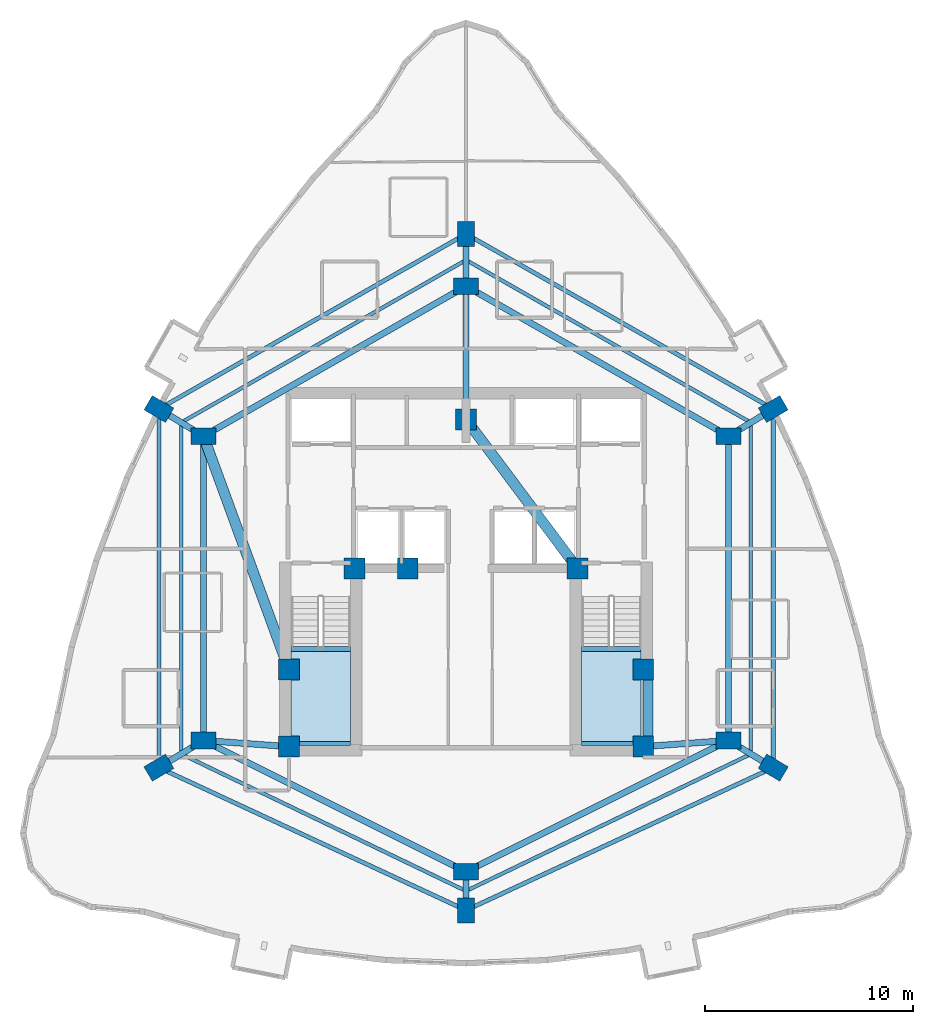
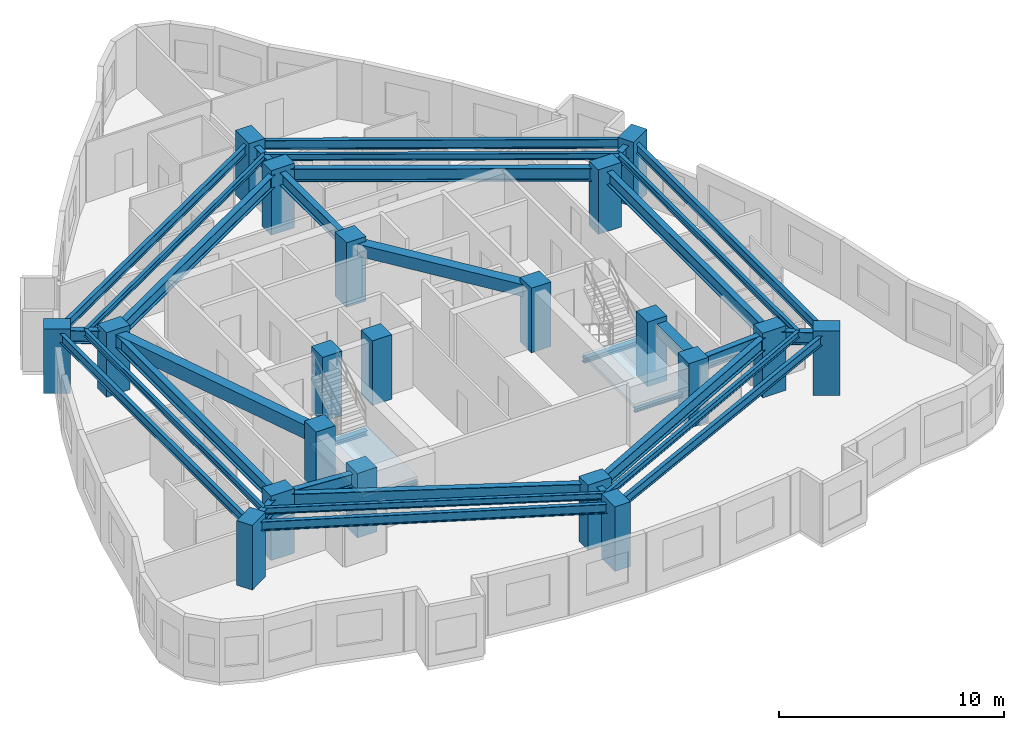
# One storey, part 1 of 10: 34 beams, 20 columns, 2 slabs, 2 elements without a shape of their own.
"""IFC4 building model written with IfcOpenShell, lengths in metres."""

from ifc_helpers import new_model, si_unit, direction, frame, origin, origin_2d, place, context, subcontext, project, spatial, polyline, rectangle, i_section, outline, extrude, material, layer, layer_set, material_profile, profile_set, type_object, element, aggregate, save


model = new_model("IFC4")

# Units and contexts
model_context = context("Model", 3, precision=1e-05, world=origin(), true_north=direction((0.0, 1.0)))
body_context = subcontext(model_context, "Body", "Model", "MODEL_VIEW")
ifc_project = project(units=[si_unit("LENGTHUNIT", "METRE"), si_unit("AREAUNIT", "SQUARE_METRE"), si_unit("VOLUMEUNIT", "CUBIC_METRE"), si_unit("PLANEANGLEUNIT", "RADIAN"), si_unit("MASSUNIT", "GRAM", prefix="KILO")], contexts=[model_context])

# Site, building, storey
site_placement = place(None, origin())
site = spatial("IfcSite", under=ifc_project, at=site_placement, CompositionType="ELEMENT")
building_placement = place(site_placement, origin())
building = spatial("IfcBuilding", under=site, at=building_placement, Name="Miruveldt Soraemaru", CompositionType="ELEMENT")
storey_placement = place(building_placement, frame((0.0, 0.0, 163.39990234375)))
storey = spatial("IfcBuildingStorey", under=building, at=storey_placement, Name="L45", CompositionType="ELEMENT", Elevation=163.39990234375)

# Columns
ifc_material_1 = material(Name="Concrete C60/75 (60 MPa)", Category="concrete")
ifc_material_profile_1 = material_profile(ifc_material_1, rectangle(XDim=1.0, YDim=1.0, at=origin_2d()), Name="Concrete C60/75 (60 MPa)", Category="concrete")
ifc_profile_set_1 = profile_set([ifc_material_profile_1], Name="Concrete C60/75 (60 MPa)")
column_type_1 = type_object("IfcColumnType", Name="COL-CORE-1000", PredefinedType="COLUMN", material=ifc_profile_set_1)
for number, where, z_axis, x_axis, name in (
    (1, (35.5, 35.5, 0.0), (0.0, 0.0, 1.0), (1.0, 0.0, 0.0), "L45 Structural Column CC1"),
    (2, (38.64990234375, 44.050048828125, 0.0), (0.0, 0.0, 1.0), (1.0, 0.0, 0.0), "L45 Structural Column CC2"),
    (3, (52.5, 35.5, 0.0), (0.0, 0.0, 1.0), (1.0, 0.0, 0.0), "L45 Structural Column CC3"),
    (4, (52.5, 39.199951171875, 0.0), (0.0, 0.0, 1.0), (1.0, 0.0, 0.0), "L45 Structural Column CC4"),
    (5, (49.35009765625, 44.050048828125, 0.0), (0.0, 0.0, 1.0), (1.0, 0.0, 0.0), "L45 Structural Column CC5"),
    (6, (44.0, 51.199951171875, 0.0), (0.0, 0.0, 1.0), (1.0, 0.0, 0.0), "L45 Structural Column CC6"),
    (7, (35.5, 39.199951171875, 0.0), (0.0, 0.0, 1.0), (1.0, 0.0, 0.0), "L45 Structural Column CC7"),
    (8, (41.199951171875, 44.050048828125, 0.0), (0.0, 0.0, 1.0), (1.0, 0.0, 0.0), "L45 Structural Column CC8"),
):
    element("IfcColumn", number, at=place(storey_placement, frame(where, z_axis=z_axis, x_axis=x_axis)), inside=storey, type_object=column_type_1, Name=name, PredefinedType="COLUMN", context=body_context, shape_type="SweptSolid", body=[
        extrude(rectangle(XDim=1.0, YDim=1.0, at=origin_2d()), origin(), (0.0, 0.0, 1.0), 3.5),
    ])
ifc_material_2 = material(Name="Concrete C70/85 (70 MPa)", Category="concrete")
ifc_material_profile_2 = material_profile(ifc_material_2, rectangle(XDim=1.199951171875, YDim=0.800048828125, at=origin_2d()), Name="Concrete C70/85 (70 MPa)", Category="concrete")
ifc_profile_set_2 = profile_set([ifc_material_profile_2], Name="Concrete C70/85 (70 MPa)")
column_type_2 = type_object("IfcColumnType", Name="COL-TW-Z2", PredefinedType="COLUMN", material=ifc_profile_set_2)
for number, where, z_axis, x_axis, name in (
    (9, (44.0, 57.60009765625, 0.0), (0.0, 0.0, 1.0), (1.0, 0.0, 0.0), "L45 Structural Column IR01"),
    (10, (56.60009765625, 50.39990234375, 0.0), (0.0, 0.0, 1.0), (1.0, 0.0, 0.0), "L45 Structural Column IR02"),
    (11, (56.60009765625, 35.800048828125, 0.0), (0.0, 0.0, 1.0), (1.0, 0.0, 0.0), "L45 Structural Column IR03"),
    (12, (44.0, 29.5, 0.0), (0.0, 0.0, 1.0), (1.0, 0.0, 0.0), "L45 Structural Column IR04"),
    (13, (31.39990234375, 35.800048828125, 0.0), (0.0, 0.0, 1.0), (1.0, 0.0, 0.0), "L45 Structural Column IR05"),
    (14, (31.39990234375, 50.39990234375, 0.0), (0.0, 0.0, 1.0), (1.0, 0.0, 0.0), "L45 Structural Column IR06"),
    (15, (44.0, 60.10595703125, 0.0), (0.0, 0.0, 1.0), (0.0, 1.0, 0.0), "L45 Structural Column Z2P01"),
    (16, (58.739990234375, 51.705078125, 0.0), (0.0, 0.0, 1.0), (0.866025403784, 0.5, 0.0), "L45 Structural Column Z2P02"),
    (17, (58.739990234375, 34.4951171875, 0.0), (0.0, 0.0, 1.0), (-0.860742027004, 0.50904141575, 0.0), "L45 Structural Column Z2P03"),
    (18, (44.0, 27.64697265625, 0.0), (0.0, 0.0, 1.0), (0.0, 1.0, 0.0), "L45 Structural Column Z2P04"),
    (19, (29.260009765625, 34.4951171875, 0.0), (0.0, 0.0, 1.0), (0.860742027004, 0.50904141575, 0.0), "L45 Structural Column Z2P05"),
    (20, (29.260009765625, 51.705078125, 0.0), (0.0, 0.0, 1.0), (-0.866025403784, 0.5, 0.0), "L45 Structural Column Z2P06"),
):
    element("IfcColumn", number, at=place(storey_placement, frame(where, z_axis=z_axis, x_axis=x_axis)), inside=storey, type_object=column_type_2, Name=name, PredefinedType="COLUMN", context=body_context, shape_type="SweptSolid", body=[
        extrude(rectangle(XDim=1.199951171875, YDim=0.800048828125, at=origin_2d()), origin(), (0.0, 0.0, 1.0), 3.5),
    ])

# Beams
ifc_material_3 = material(Name="Concrete C50/60 (50 MPa)", Category="concrete")
ifc_material_profile_3 = material_profile(ifc_material_3, rectangle(XDim=0.5, YDim=0.64990234375, at=origin_2d()), Name="Concrete C50/60 (50 MPa)", Category="concrete")
ifc_profile_set_3 = profile_set([ifc_material_profile_3], Name="Concrete C50/60 (50 MPa)")
beam_type_1 = type_object("IfcBeamType", Name="BM-RC-500x650", PredefinedType="BEAM", material=ifc_profile_set_3)
beam_1_placement = place(storey_placement, frame((52.72998046875, 35.5, 2.91015625), z_axis=(0.0, 1.0, 0.0), x_axis=(-1.0, 0.0, 0.0)))
element("IfcBeam", 21, at=beam_1_placement, inside=storey, type_object=beam_type_1, Name="L45 Core Tie Beam 3", PredefinedType="BEAM", context=body_context, shape_type="SweptSolid", body=[
    extrude(rectangle(XDim=0.5, YDim=0.64990234375, at=origin_2d()), origin(), (0.0, 0.0, 1.0), 3.699951171875),
])
beam_2_placement = place(storey_placement, frame((49.35009765625, 44.050048828125, 2.91015625), z_axis=(-0.599116023999, 0.800662219533, 0.0), x_axis=(-0.800662219533, -0.599116023999, 0.0)))
element("IfcBeam", 22, at=beam_2_placement, inside=storey, type_object=beam_type_1, Name="L45 Core Tie Beam 5", PredefinedType="BEAM", context=body_context, shape_type="SweptSolid", body=[
    extrude(rectangle(XDim=0.5, YDim=0.64990234375, at=origin_2d()), origin(), (0.0, 0.0, 1.0), 8.929931640625),
])
ifc_material_4 = material(Name="Concrete C40/50 (40 MPa)", Category="concrete")
ifc_material_profile_4 = material_profile(ifc_material_4, rectangle(XDim=0.5, YDim=0.75, at=origin_2d()), Name="Concrete C40/50 (40 MPa)", Category="concrete")
ifc_profile_set_4 = profile_set([ifc_material_profile_4], Name="Concrete C40/50 (40 MPa)")
beam_type_2 = type_object("IfcBeamType", Name="BM-RC-500x750", PredefinedType="LINTEL", material=ifc_profile_set_4)
beam_3_placement = place(storey_placement, frame((31.39990234375, 50.39990234375, 2.860107421875), z_axis=(0.343770424598, -0.939053723262, 0.0), x_axis=(0.939053723262, 0.343770424598, 0.0)))
element("IfcBeam", 23, at=beam_3_placement, inside=storey, type_object=beam_type_2, Name="L45 West Lobby Lintel", PredefinedType="LINTEL", context=body_context, shape_type="SweptSolid", body=[
    extrude(rectangle(XDim=0.5, YDim=0.75, at=origin_2d()), origin(), (0.0, 0.0, 1.0), 11.9267578125),
])
ifc_material_5 = material(Name="Steel SM355 (355 MPa)", Category="steel")
ifc_material_profile_5 = material_profile(ifc_material_5, i_section(OverallWidth=0.175048828125, OverallDepth=0.35009765625, WebThickness=0.007080078125, FlangeThickness=0.010986328125, FilletRadius=0.013916015625, at=origin_2d()), Name="Steel SM355 (355 MPa)", Category="steel")
ifc_profile_set_5 = profile_set([ifc_material_profile_5], Name="Steel SM355 (355 MPa)")
beam_type_3 = type_object("IfcBeamType", Name="BM-ST-H350", PredefinedType="JOIST", material=ifc_profile_set_5)
beam_4_placement = place(storey_placement, frame((44.0, 58.85302734375, 3.06005859375), z_axis=(0.868539859756, -0.495619321672, 0.0), x_axis=(0.495619321672, 0.868539859756, 0.0)))
element("IfcBeam", 24, at=beam_4_placement, inside=storey, type_object=beam_type_3, Name="L45 Outer Bay Floor Joist 1", PredefinedType="JOIST", context=body_context, shape_type="SweptSolid", body=[
    extrude(i_section(OverallWidth=0.175048828125, OverallDepth=0.35009765625, WebThickness=0.007080078125, FlangeThickness=0.010986328125, FilletRadius=0.013916015625, at=origin_2d()), origin(), (0.0, 0.0, 1.0), 15.739013671875),
])
beam_5_placement = place(storey_placement, frame((57.669921875, 51.052490234375, 3.06005859375), z_axis=(0.0, -1.0, 0.0), x_axis=(1.0, 0.0, 0.0)))
element("IfcBeam", 25, at=beam_5_placement, inside=storey, type_object=beam_type_3, Name="L45 Outer Bay Floor Joist 2", PredefinedType="JOIST", context=body_context, shape_type="SweptSolid", body=[
    extrude(i_section(OverallWidth=0.175048828125, OverallDepth=0.35009765625, WebThickness=0.007080078125, FlangeThickness=0.010986328125, FilletRadius=0.013916015625, at=origin_2d()), origin(), (0.0, 0.0, 1.0), 15.905029296875),
])
for number, where, z_axis, x_axis, name in (
    (26, (57.669921875, 35.1474609375, 3.06005859375), (-0.901203586802, -0.433396002676, 0.0), (0.433396002676, -0.901203586802, 0.0), "L45 Outer Bay Floor Joist 3"),
    (27, (44.0, 28.573486328125, 3.06005859375), (-0.901203586802, 0.433396002676, 0.0), (-0.433396002676, -0.901203586802, 0.0), "L45 Outer Bay Floor Joist 4"),
):
    element("IfcBeam", number, at=place(storey_placement, frame(where, z_axis=z_axis, x_axis=x_axis)), inside=storey, type_object=beam_type_3, Name=name, PredefinedType="JOIST", context=body_context, shape_type="SweptSolid", body=[
        extrude(i_section(OverallWidth=0.175048828125, OverallDepth=0.35009765625, WebThickness=0.007080078125, FlangeThickness=0.010986328125, FilletRadius=0.013916015625, at=origin_2d()), origin(), (0.0, 0.0, 1.0), 15.16845703125),
    ])
beam_6_placement = place(storey_placement, frame((30.330078125, 35.1474609375, 3.06005859375), z_axis=(0.0, 1.0, 0.0), x_axis=(-1.0, 0.0, 0.0)))
element("IfcBeam", 28, at=beam_6_placement, inside=storey, type_object=beam_type_3, Name="L45 Outer Bay Floor Joist 5", PredefinedType="JOIST", context=body_context, shape_type="SweptSolid", body=[
    extrude(i_section(OverallWidth=0.175048828125, OverallDepth=0.35009765625, WebThickness=0.007080078125, FlangeThickness=0.010986328125, FilletRadius=0.013916015625, at=origin_2d()), origin(), (0.0, 0.0, 1.0), 15.905029296875),
])
beam_7_placement = place(storey_placement, frame((30.330078125, 51.052490234375, 3.06005859375), z_axis=(0.868539859756, 0.495619321672, 0.0), x_axis=(-0.495619321672, 0.868539859756, 0.0)))
element("IfcBeam", 29, at=beam_7_placement, inside=storey, type_object=beam_type_3, Name="L45 Outer Bay Floor Joist 6", PredefinedType="JOIST", context=body_context, shape_type="SweptSolid", body=[
    extrude(i_section(OverallWidth=0.175048828125, OverallDepth=0.35009765625, WebThickness=0.007080078125, FlangeThickness=0.010986328125, FilletRadius=0.013916015625, at=origin_2d()), origin(), (0.0, 0.0, 1.0), 15.739013671875),
])
ifc_material_profile_6 = material_profile(ifc_material_5, i_section(OverallWidth=0.199951171875, OverallDepth=0.5, WebThickness=0.010009765625, FlangeThickness=0.01611328125, FilletRadius=0.02001953125, at=origin_2d()), Name="Steel SM355 (355 MPa)", Category="steel")
ifc_profile_set_6 = profile_set([ifc_material_profile_6], Name="Steel SM355 (355 MPa)")
beam_type_4 = type_object("IfcBeamType", Name="BM-ST-H500", PredefinedType="SPANDREL", material=ifc_profile_set_6)
beam_8_placement = place(storey_placement, frame((44.0, 60.10595703125, 2.985107421875), z_axis=(0.86880048516, -0.495162313778, 0.0), x_axis=(0.495162313778, 0.86880048516, 0.0)))
element("IfcBeam", 30, at=beam_8_placement, inside=storey, type_object=beam_type_4, Name="L45 Zone-2 Spandrel Beam 1", PredefinedType="SPANDREL", context=body_context, shape_type="SweptSolid", body=[
    extrude(i_section(OverallWidth=0.199951171875, OverallDepth=0.5, WebThickness=0.010009765625, FlangeThickness=0.01611328125, FilletRadius=0.02001953125, at=origin_2d()), origin(), (0.0, 0.0, 1.0), 16.9658203125),
])
beam_9_placement = place(storey_placement, frame((58.739990234375, 51.705078125, 2.985107421875), z_axis=(0.0, -1.0, 0.0), x_axis=(1.0, 0.0, 0.0)))
element("IfcBeam", 31, at=beam_9_placement, inside=storey, type_object=beam_type_4, Name="L45 Zone-2 Spandrel Beam 2", PredefinedType="SPANDREL", context=body_context, shape_type="SweptSolid", body=[
    extrude(i_section(OverallWidth=0.199951171875, OverallDepth=0.5, WebThickness=0.010009765625, FlangeThickness=0.01611328125, FilletRadius=0.02001953125, at=origin_2d()), origin(), (0.0, 0.0, 1.0), 17.2099609375),
])
for number, where, z_axis, x_axis, name in (
    (32, (58.739990234375, 34.4951171875, 2.985107421875), (-0.906901362829, -0.421342993414, 0.0), (0.421342993414, -0.906901362829, 0.0), "L45 Zone-2 Spandrel Beam 3"),
    (33, (44.0, 27.64697265625, 2.985107421875), (-0.906901362829, 0.421342993414, 0.0), (-0.421342993414, -0.906901362829, 0.0), "L45 Zone-2 Spandrel Beam 4"),
):
    element("IfcBeam", number, at=place(storey_placement, frame(where, z_axis=z_axis, x_axis=x_axis)), inside=storey, type_object=beam_type_4, Name=name, PredefinedType="SPANDREL", context=body_context, shape_type="SweptSolid", body=[
        extrude(i_section(OverallWidth=0.199951171875, OverallDepth=0.5, WebThickness=0.010009765625, FlangeThickness=0.01611328125, FilletRadius=0.02001953125, at=origin_2d()), origin(), (0.0, 0.0, 1.0), 16.253173828125),
    ])
beam_10_placement = place(storey_placement, frame((29.260009765625, 34.4951171875, 2.985107421875), z_axis=(0.0, 1.0, 0.0), x_axis=(-1.0, 0.0, 0.0)))
element("IfcBeam", 34, at=beam_10_placement, inside=storey, type_object=beam_type_4, Name="L45 Zone-2 Spandrel Beam 5", PredefinedType="SPANDREL", context=body_context, shape_type="SweptSolid", body=[
    extrude(i_section(OverallWidth=0.199951171875, OverallDepth=0.5, WebThickness=0.010009765625, FlangeThickness=0.01611328125, FilletRadius=0.02001953125, at=origin_2d()), origin(), (0.0, 0.0, 1.0), 17.2099609375),
])
beam_11_placement = place(storey_placement, frame((29.260009765625, 51.705078125, 2.985107421875), z_axis=(0.86880048516, 0.495162313778, 0.0), x_axis=(-0.495162313778, 0.86880048516, 0.0)))
element("IfcBeam", 35, at=beam_11_placement, inside=storey, type_object=beam_type_4, Name="L45 Zone-2 Spandrel Beam 6", PredefinedType="SPANDREL", context=body_context, shape_type="SweptSolid", body=[
    extrude(i_section(OverallWidth=0.199951171875, OverallDepth=0.5, WebThickness=0.010009765625, FlangeThickness=0.01611328125, FilletRadius=0.02001953125, at=origin_2d()), origin(), (0.0, 0.0, 1.0), 16.9658203125),
])
ifc_material_profile_7 = material_profile(ifc_material_5, i_section(OverallWidth=0.300048828125, OverallDepth=0.699951171875, WebThickness=0.012939453125, FlangeThickness=0.02392578125, FilletRadius=0.028076171875, at=origin_2d()), Name="Steel SM355 (355 MPa)", Category="steel")
ifc_profile_set_7 = profile_set([ifc_material_profile_7], Name="Steel SM355 (355 MPa)")
beam_type_5 = type_object("IfcBeamType", Name="BM-ST-H700", PredefinedType="BEAM", material=ifc_profile_set_7)
beam_12_placement = place(storey_placement, frame((44.0, 57.60009765625, 2.885009765625), z_axis=(0.868239001029, -0.496146185203, 0.0), x_axis=(0.496146185203, 0.868239001029, 0.0)))
element("IfcBeam", 36, at=beam_12_placement, inside=storey, type_object=beam_type_5, Name="L45 Inner Ring Girder 1", PredefinedType="BEAM", context=body_context, shape_type="SweptSolid", body=[
    extrude(i_section(OverallWidth=0.300048828125, OverallDepth=0.699951171875, WebThickness=0.012939453125, FlangeThickness=0.02392578125, FilletRadius=0.028076171875, at=origin_2d()), origin(), (0.0, 0.0, 1.0), 14.51220703125),
])
beam_13_placement = place(storey_placement, frame((44.0, 51.199951171875, 2.885009765625), z_axis=(0.0, 1.0, 0.0), x_axis=(-1.0, 0.0, 0.0)))
element("IfcBeam", 37, at=beam_13_placement, inside=storey, type_object=beam_type_5, Name="L45 Core-to-Inner Radial Girder 1", PredefinedType="BEAM", context=body_context, shape_type="SweptSolid", body=[
    extrude(i_section(OverallWidth=0.300048828125, OverallDepth=0.699951171875, WebThickness=0.012939453125, FlangeThickness=0.02392578125, FilletRadius=0.028076171875, at=origin_2d()), origin(), (0.0, 0.0, 1.0), 6.400146484375),
])
beam_14_placement = place(storey_placement, frame((56.60009765625, 50.39990234375, 2.885009765625), z_axis=(0.0, -1.0, 0.0), x_axis=(1.0, 0.0, 0.0)))
element("IfcBeam", 38, at=beam_14_placement, inside=storey, type_object=beam_type_5, Name="L45 Inner Ring Girder 2", PredefinedType="BEAM", context=body_context, shape_type="SweptSolid", body=[
    extrude(i_section(OverallWidth=0.300048828125, OverallDepth=0.699951171875, WebThickness=0.012939453125, FlangeThickness=0.02392578125, FilletRadius=0.028076171875, at=origin_2d()), origin(), (0.0, 0.0, 1.0), 14.599853515625),
])
beam_15_placement = place(storey_placement, frame((56.60009765625, 35.800048828125, 2.885009765625), z_axis=(-0.894427191, -0.4472135955, 0.0), x_axis=(0.4472135955, -0.894427191, 0.0)))
element("IfcBeam", 39, at=beam_15_placement, inside=storey, type_object=beam_type_5, Name="L45 Inner Ring Girder 3", PredefinedType="BEAM", context=body_context, shape_type="SweptSolid", body=[
    extrude(i_section(OverallWidth=0.300048828125, OverallDepth=0.699951171875, WebThickness=0.012939453125, FlangeThickness=0.02392578125, FilletRadius=0.028076171875, at=origin_2d()), origin(), (0.0, 0.0, 1.0), 14.08740234375),
])
beam_16_placement = place(storey_placement, frame((52.5, 35.5, 2.885009765625), z_axis=(0.997332985605, 0.072985723431, 0.0), x_axis=(-0.072985723431, 0.997332985605, 0.0)))
element("IfcBeam", 40, at=beam_16_placement, inside=storey, type_object=beam_type_5, Name="L45 Core-to-Inner Radial Girder 3", PredefinedType="BEAM", context=body_context, shape_type="SweptSolid", body=[
    extrude(i_section(OverallWidth=0.300048828125, OverallDepth=0.699951171875, WebThickness=0.012939453125, FlangeThickness=0.02392578125, FilletRadius=0.028076171875, at=origin_2d()), origin(), (0.0, 0.0, 1.0), 4.111083984375),
])
beam_17_placement = place(storey_placement, frame((44.0, 29.5, 2.885009765625), z_axis=(-0.894427191, 0.4472135955, 0.0), x_axis=(-0.4472135955, -0.894427191, 0.0)))
element("IfcBeam", 41, at=beam_17_placement, inside=storey, type_object=beam_type_5, Name="L45 Inner Ring Girder 4", PredefinedType="BEAM", context=body_context, shape_type="SweptSolid", body=[
    extrude(i_section(OverallWidth=0.300048828125, OverallDepth=0.699951171875, WebThickness=0.012939453125, FlangeThickness=0.02392578125, FilletRadius=0.028076171875, at=origin_2d()), origin(), (0.0, 0.0, 1.0), 14.08740234375),
])
beam_18_placement = place(storey_placement, frame((31.39990234375, 35.800048828125, 2.885009765625), z_axis=(0.0, 1.0, 0.0), x_axis=(-1.0, 0.0, 0.0)))
element("IfcBeam", 42, at=beam_18_placement, inside=storey, type_object=beam_type_5, Name="L45 Inner Ring Girder 5", PredefinedType="BEAM", context=body_context, shape_type="SweptSolid", body=[
    extrude(i_section(OverallWidth=0.300048828125, OverallDepth=0.699951171875, WebThickness=0.012939453125, FlangeThickness=0.02392578125, FilletRadius=0.028076171875, at=origin_2d()), origin(), (0.0, 0.0, 1.0), 14.599853515625),
])
beam_19_placement = place(storey_placement, frame((35.5, 35.5, 2.885009765625), z_axis=(-0.997332985605, 0.072985723431, 0.0), x_axis=(-0.072985723431, -0.997332985605, 0.0)))
element("IfcBeam", 43, at=beam_19_placement, inside=storey, type_object=beam_type_5, Name="L45 Core-to-Inner Radial Girder 5", PredefinedType="BEAM", context=body_context, shape_type="SweptSolid", body=[
    extrude(i_section(OverallWidth=0.300048828125, OverallDepth=0.699951171875, WebThickness=0.012939453125, FlangeThickness=0.02392578125, FilletRadius=0.028076171875, at=origin_2d()), origin(), (0.0, 0.0, 1.0), 4.111083984375),
])
beam_20_placement = place(storey_placement, frame((31.39990234375, 50.39990234375, 2.885009765625), z_axis=(0.868239001029, 0.496146185203, 0.0), x_axis=(-0.496146185203, 0.868239001029, 0.0)))
element("IfcBeam", 44, at=beam_20_placement, inside=storey, type_object=beam_type_5, Name="L45 Inner Ring Girder 6", PredefinedType="BEAM", context=body_context, shape_type="SweptSolid", body=[
    extrude(i_section(OverallWidth=0.300048828125, OverallDepth=0.699951171875, WebThickness=0.012939453125, FlangeThickness=0.02392578125, FilletRadius=0.028076171875, at=origin_2d()), origin(), (0.0, 0.0, 1.0), 14.51220703125),
])
beam_21_placement = place(storey_placement, frame((44.0, 57.60009765625, 2.885009765625), z_axis=(0.0, 1.0, 0.0), x_axis=(-1.0, 0.0, 0.0)))
element("IfcBeam", 45, at=beam_21_placement, inside=storey, type_object=beam_type_5, Name="L45 Zone-2 Radial Girder 1", PredefinedType="BEAM", context=body_context, shape_type="SweptSolid", body=[
    extrude(i_section(OverallWidth=0.300048828125, OverallDepth=0.699951171875, WebThickness=0.012939453125, FlangeThickness=0.02392578125, FilletRadius=0.028076171875, at=origin_2d()), origin(), (0.0, 0.0, 1.0), 2.505859375),
])
beam_22_placement = place(storey_placement, frame((56.60009765625, 50.39990234375, 2.885009765625), z_axis=(0.85373175529, 0.520713059188, 0.0), x_axis=(-0.520713059188, 0.85373175529, 0.0)))
element("IfcBeam", 46, at=beam_22_placement, inside=storey, type_object=beam_type_5, Name="L45 Zone-2 Radial Girder 2", PredefinedType="BEAM", context=body_context, shape_type="SweptSolid", body=[
    extrude(i_section(OverallWidth=0.300048828125, OverallDepth=0.699951171875, WebThickness=0.012939453125, FlangeThickness=0.02392578125, FilletRadius=0.028076171875, at=origin_2d()), origin(), (0.0, 0.0, 1.0), 2.506591796875),
])
beam_23_placement = place(storey_placement, frame((56.60009765625, 35.800048828125, 2.885009765625), z_axis=(0.853775054686, -0.5206420613, 0.0), x_axis=(0.5206420613, 0.853775054686, 0.0)))
element("IfcBeam", 47, at=beam_23_placement, inside=storey, type_object=beam_type_5, Name="L45 Zone-2 Radial Girder 3", PredefinedType="BEAM", context=body_context, shape_type="SweptSolid", body=[
    extrude(i_section(OverallWidth=0.300048828125, OverallDepth=0.699951171875, WebThickness=0.012939453125, FlangeThickness=0.02392578125, FilletRadius=0.028076171875, at=origin_2d()), origin(), (0.0, 0.0, 1.0), 2.50634765625),
])
beam_24_placement = place(storey_placement, frame((44.0, 29.5, 2.885009765625), z_axis=(0.0, -1.0, 0.0), x_axis=(1.0, 0.0, 0.0)))
element("IfcBeam", 48, at=beam_24_placement, inside=storey, type_object=beam_type_5, Name="L45 Zone-2 Radial Girder 4", PredefinedType="BEAM", context=body_context, shape_type="SweptSolid", body=[
    extrude(i_section(OverallWidth=0.300048828125, OverallDepth=0.699951171875, WebThickness=0.012939453125, FlangeThickness=0.02392578125, FilletRadius=0.028076171875, at=origin_2d()), origin(), (0.0, 0.0, 1.0), 1.85302734375),
])
beam_25_placement = place(storey_placement, frame((31.39990234375, 35.800048828125, 2.885009765625), z_axis=(-0.853775054686, -0.5206420613, 0.0), x_axis=(0.5206420613, -0.853775054686, 0.0)))
element("IfcBeam", 49, at=beam_25_placement, inside=storey, type_object=beam_type_5, Name="L45 Zone-2 Radial Girder 5", PredefinedType="BEAM", context=body_context, shape_type="SweptSolid", body=[
    extrude(i_section(OverallWidth=0.300048828125, OverallDepth=0.699951171875, WebThickness=0.012939453125, FlangeThickness=0.02392578125, FilletRadius=0.028076171875, at=origin_2d()), origin(), (0.0, 0.0, 1.0), 2.50634765625),
])
beam_26_placement = place(storey_placement, frame((31.39990234375, 50.39990234375, 2.885009765625), z_axis=(-0.85373175529, 0.520713059188, 0.0), x_axis=(-0.520713059188, -0.85373175529, 0.0)))
element("IfcBeam", 50, at=beam_26_placement, inside=storey, type_object=beam_type_5, Name="L45 Zone-2 Radial Girder 6", PredefinedType="BEAM", context=body_context, shape_type="SweptSolid", body=[
    extrude(i_section(OverallWidth=0.300048828125, OverallDepth=0.699951171875, WebThickness=0.012939453125, FlangeThickness=0.02392578125, FilletRadius=0.028076171875, at=origin_2d()), origin(), (0.0, 0.0, 1.0), 2.506591796875),
])
ifc_material_profile_8 = material_profile(ifc_material_5, i_section(OverallWidth=0.199951171875, OverallDepth=0.199951171875, WebThickness=0.008056640625, FlangeThickness=0.011962890625, FilletRadius=0.012939453125, at=origin_2d()), Name="Steel SM355 (355 MPa)", Category="steel")
ifc_profile_set_8 = profile_set([ifc_material_profile_8], Name="Steel SM355 (355 MPa)")
beam_type_6 = type_object("IfcBeamType", Name="BM-ST-LND200", PredefinedType="BEAM", material=ifc_profile_set_8)
for number, where, z_axis, x_axis, name in (
    (51, (35.60009765625, 35.64990234375, 1.4501953125), (1.0, 0.0, 0.0), (0.0, 1.0, 0.0), "L45 ST1 Landing End Beam 1B"),
    (52, (49.550048828125, 35.64990234375, 1.4501953125), (1.0, 0.0, 0.0), (0.0, 1.0, 0.0), "L45 ST2 Landing End Beam 1B"),
):
    element("IfcBeam", number, at=place(storey_placement, frame(where, z_axis=z_axis, x_axis=x_axis)), inside=storey, type_object=beam_type_6, Name=name, PredefinedType="BEAM", context=body_context, shape_type="SweptSolid", body=[
        extrude(i_section(OverallWidth=0.199951171875, OverallDepth=0.199951171875, WebThickness=0.008056640625, FlangeThickness=0.011962890625, FilletRadius=0.012939453125, at=origin_2d()), origin(), (0.0, 0.0, 1.0), 2.849853515625),
    ])
ifc_material_profile_9 = material_profile(ifc_material_5, i_section(OverallWidth=0.25, OverallDepth=0.25, WebThickness=0.009033203125, FlangeThickness=0.013916015625, FilletRadius=0.01611328125, at=origin_2d()), Name="Steel SM355 (355 MPa)", Category="steel")
ifc_profile_set_9 = profile_set([ifc_material_profile_9], Name="Steel SM355 (355 MPa)")
beam_type_7 = type_object("IfcBeamType", Name="BM-ST-LND250", PredefinedType="BEAM", material=ifc_profile_set_9)
for number, where, z_axis, x_axis, name in (
    (53, (35.60009765625, 40.179931640625, 1.425048828125), (1.0, 0.0, 0.0), (0.0, 1.0, 0.0), "L45 ST1 Landing Support Beam 1A"),
    (54, (49.550048828125, 40.179931640625, 1.425048828125), (1.0, 0.0, 0.0), (0.0, 1.0, 0.0), "L45 ST2 Landing Support Beam 1A"),
):
    element("IfcBeam", number, at=place(storey_placement, frame(where, z_axis=z_axis, x_axis=x_axis)), inside=storey, type_object=beam_type_7, Name=name, PredefinedType="BEAM", context=body_context, shape_type="SweptSolid", body=[
        extrude(i_section(OverallWidth=0.25, OverallDepth=0.25, WebThickness=0.009033203125, FlangeThickness=0.013916015625, FilletRadius=0.01611328125, at=origin_2d()), origin(), (0.0, 0.0, 1.0), 2.849853515625),
    ])

# Stair, slab
stair_type = type_object("IfcStairType", Name="STAIR-DL-350", PredefinedType="HALF_TURN_STAIR", material=ifc_material_4)
stair_1_placement = place(storey_placement, origin())
stair_1 = element("IfcStair", 55, at=stair_1_placement, inside=storey, type_object=stair_type, Name="L45 Protected Exit Stair ST-1", PredefinedType="HALF_TURN_STAIR")
ifc_layer = layer(ifc_material_4, 0.199951171875, Name="Concrete C40/50 (40 MPa)", Category="concrete")
ifc_layer_set = layer_set([ifc_layer], Name="Concrete C40/50 (40 MPa)")
slab_type = type_object("IfcSlabType", Name="SLAB-LAND-200", PredefinedType="LANDING", material=ifc_layer_set)
slab_1_placement = place(storey_placement, frame((0.0, 0.0, 1.550048828125)))
slab_1 = element("IfcSlab", 56, at=slab_1_placement, type_object=slab_type, Name="ST-1 landing 1", PredefinedType="LANDING", context=body_context, shape_type="SweptSolid", body=[
    extrude(outline(polyline([(35.60009765625, 40.197998046875), (35.60009765625, 35.64990234375), (38.449951171875, 35.64990234375), (38.449951171875, 40.197998046875), (35.60009765625, 40.197998046875)])), origin(), (0.0, 0.0, 1.0), 0.199951171875),
])
aggregate(stair_1, [slab_1])

stair_2_placement = place(storey_placement, origin())
stair_2 = element("IfcStair", 57, at=stair_2_placement, inside=storey, type_object=stair_type, Name="L45 Protected Exit Stair ST-2", PredefinedType="HALF_TURN_STAIR")
slab_2_placement = place(storey_placement, frame((0.0, 0.0, 1.550048828125)))
slab_2 = element("IfcSlab", 58, at=slab_2_placement, type_object=slab_type, Name="ST-2 landing 1", PredefinedType="LANDING", context=body_context, shape_type="SweptSolid", body=[
    extrude(outline(polyline([(49.550048828125, 40.197998046875), (49.550048828125, 35.64990234375), (52.39990234375, 35.64990234375), (52.39990234375, 40.197998046875), (49.550048828125, 40.197998046875)])), origin(), (0.0, 0.0, 1.0), 0.199951171875),
])
aggregate(stair_2, [slab_2])

save(model, "model.ifc")
